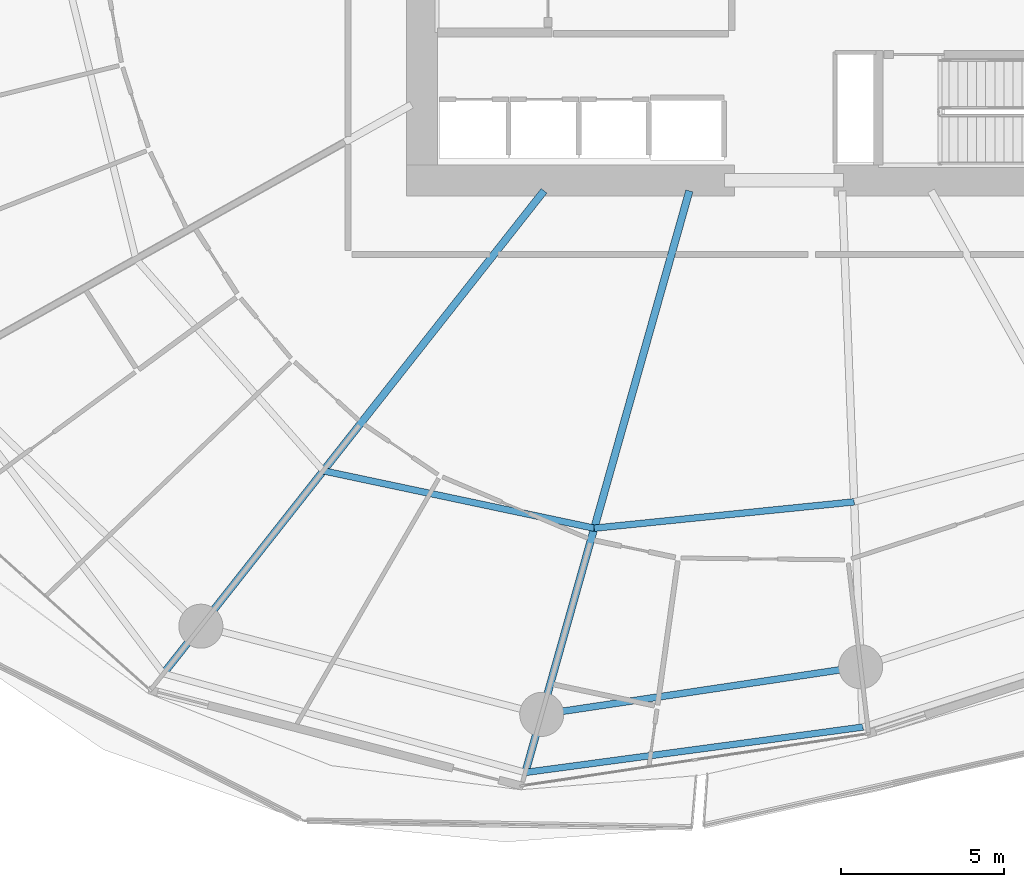
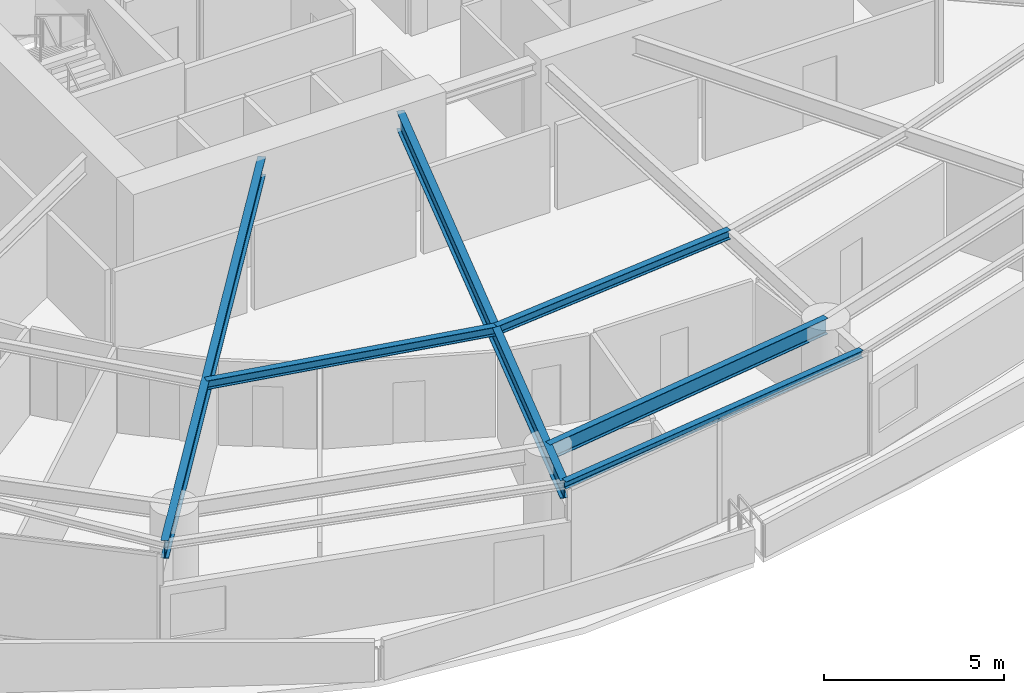
# One storey, part 7 of 31: 6 beams.
"""IFC4 building model written with IfcOpenShell, lengths in metres."""

from ifc_helpers import new_model, si_unit, direction, frame, origin, origin_2d, place, context, subcontext, project, spatial, i_section, extrude, material, material_profile, profile_set, type_object, element, save


model = new_model("IFC4")

# Units and contexts
model_context = context("Model", 3, precision=1e-05, world=origin(), true_north=direction((0.0, 1.0)))
body_context = subcontext(model_context, "Body", "Model", "MODEL_VIEW")
ifc_project = project(units=[si_unit("LENGTHUNIT", "METRE"), si_unit("AREAUNIT", "SQUARE_METRE"), si_unit("VOLUMEUNIT", "CUBIC_METRE"), si_unit("PLANEANGLEUNIT", "RADIAN"), si_unit("MASSUNIT", "GRAM", prefix="KILO")], contexts=[model_context])

# Site, building, storey
site_placement = place(None, origin())
site = spatial("IfcSite", under=ifc_project, at=site_placement, CompositionType="ELEMENT")
building_placement = place(site_placement, origin())
building = spatial("IfcBuilding", under=site, at=building_placement, Name="Kazma Halo Residences", CompositionType="ELEMENT")
storey_placement = place(building_placement, frame((0.0, 0.0, 33.89990234375)))
storey = spatial("IfcBuildingStorey", under=building, at=storey_placement, Name="L07", CompositionType="ELEMENT", Elevation=33.89990234375)

# Beams
ifc_material = material(Name="Steel S355", Category="steel")
ifc_material_profile_1 = material_profile(ifc_material, i_section(OverallWidth=0.201904296875, OverallDepth=0.2470703125, WebThickness=0.00732421875, FlangeThickness=0.010986328125, FilletRadius=0.011962890625, at=origin_2d()), Name="W250x49.1")
ifc_profile_set_1 = profile_set([ifc_material_profile_1], Name="Steel S355")
beam_type_1 = type_object("IfcBeamType", Name="BM-BAL-CANT", PredefinedType="BEAM", material=ifc_profile_set_1)
beam_1_placement = place(storey_placement, frame((40.489501953125, 15.3701171875, 3.376708984375), z_axis=(0.991080087388, 0.133267626912, 0.0), x_axis=(-0.133267626912, 0.991080087388, 0.0)))
element("IfcBeam", 1, at=beam_1_placement, inside=storey, type_object=beam_type_1, Name="L07 wave-balcony tie beam 11", PredefinedType="BEAM", context=body_context, shape_type="SweptSolid", body=[
    extrude(i_section(OverallWidth=0.201904296875, OverallDepth=0.2470703125, WebThickness=0.00732421875, FlangeThickness=0.010986328125, FilletRadius=0.011962890625, at=origin_2d()), origin(), (0.0, 0.0, 1.0), 10.444091796875),
])
ifc_material_profile_2 = material_profile(ifc_material, i_section(OverallWidth=0.22802734375, OverallDepth=0.60791015625, WebThickness=0.01123046875, FlangeThickness=0.017333984375, FilletRadius=0.01806640625, at=origin_2d()), Name="W610x113")
ifc_profile_set_2 = profile_set([ifc_material_profile_2], Name="Steel S355")
beam_type_2 = type_object("IfcBeamType", Name="BM-RAD-W610", PredefinedType="BEAM", material=ifc_profile_set_2)
beam_2_placement = place(storey_placement, frame((41.0625, 33.199951171875, 3.196044921875), z_axis=(-0.619092154321, -0.785318345932, 0.0), x_axis=(0.785318345932, -0.619092154321, 0.0)))
element("IfcBeam", 2, at=beam_2_placement, inside=storey, type_object=beam_type_2, Name="L07 radial floor beam 10", PredefinedType="BEAM", context=body_context, shape_type="SweptSolid", body=[
    extrude(i_section(OverallWidth=0.22802734375, OverallDepth=0.60791015625, WebThickness=0.01123046875, FlangeThickness=0.017333984375, FilletRadius=0.01806640625, at=origin_2d()), origin(), (0.0, 0.0, 1.0), 18.84375),
])
beam_3_placement = place(storey_placement, frame((45.51806640625, 33.199951171875, 3.196044921875), z_axis=(-0.271442010129, -0.962454796412, 0.0), x_axis=(0.962454796412, -0.271442010129, 0.0)))
element("IfcBeam", 3, at=beam_3_placement, inside=storey, type_object=beam_type_2, Name="L07 radial floor beam 11", PredefinedType="BEAM", context=body_context, shape_type="SweptSolid", body=[
    extrude(i_section(OverallWidth=0.22802734375, OverallDepth=0.60791015625, WebThickness=0.01123046875, FlangeThickness=0.017333984375, FilletRadius=0.01806640625, at=origin_2d()), origin(), (0.0, 0.0, 1.0), 18.525390625),
])
ifc_material_profile_3 = material_profile(ifc_material, i_section(OverallWidth=0.202880859375, OverallDepth=0.302978515625, WebThickness=0.007568359375, FlangeThickness=0.01318359375, FilletRadius=0.013916015625, at=origin_2d()), Name="W310x60")
ifc_profile_set_3 = profile_set([ifc_material_profile_3], Name="Steel S355")
beam_type_3 = type_object("IfcBeamType", Name="BM-SEC-W310A", PredefinedType="JOIST", material=ifc_profile_set_3)
beam_4_placement = place(storey_placement, frame((34.296142578125, 24.616943359375, 3.3486328125), z_axis=(0.97831665719, -0.207114746615, 0.0), x_axis=(0.207114746615, 0.97831665719, 0.0)))
element("IfcBeam", 4, at=beam_4_placement, inside=storey, type_object=beam_type_3, Name="L07 circumferential floor joist 10", PredefinedType="JOIST", context=body_context, shape_type="SweptSolid", body=[
    extrude(i_section(OverallWidth=0.202880859375, OverallDepth=0.302978515625, WebThickness=0.007568359375, FlangeThickness=0.01318359375, FilletRadius=0.013916015625, at=origin_2d()), origin(), (0.0, 0.0, 1.0), 8.489501953125),
])
beam_5_placement = place(storey_placement, frame((42.6015625, 22.858642578125, 3.3486328125), z_axis=(0.994907811148, 0.100789123008, 0.0), x_axis=(-0.100789123008, 0.994907811148, 0.0)))
element("IfcBeam", 5, at=beam_5_placement, inside=storey, type_object=beam_type_3, Name="L07 circumferential floor joist 11", PredefinedType="JOIST", context=body_context, shape_type="SweptSolid", body=[
    extrude(i_section(OverallWidth=0.202880859375, OverallDepth=0.302978515625, WebThickness=0.007568359375, FlangeThickness=0.01318359375, FilletRadius=0.013916015625, at=origin_2d()), origin(), (0.0, 0.0, 1.0), 8.010498046875),
])
ifc_material_profile_4 = material_profile(ifc_material, i_section(OverallWidth=0.208984375, OverallDepth=0.532958984375, WebThickness=0.01025390625, FlangeThickness=0.015625, FilletRadius=0.01611328125, at=origin_2d()), Name="W530x92")
ifc_profile_set_4 = profile_set([ifc_material_profile_4], Name="Steel S355")
beam_type_4 = type_object("IfcBeamType", Name="BM-SPN-W530", PredefinedType="BEAM", material=ifc_profile_set_4)
beam_6_placement = place(storey_placement, frame((40.99169921875, 17.150634765625, 3.233642578125), z_axis=(0.989033061974, 0.147694286693, 0.0), x_axis=(-0.147694286693, 0.989033061974, 0.0)))
element("IfcBeam", 6, at=beam_6_placement, inside=storey, type_object=beam_type_4, Name="L07 perimeter ring beam 11", PredefinedType="BEAM", context=body_context, shape_type="SweptSolid", body=[
    extrude(i_section(OverallWidth=0.208984375, OverallDepth=0.532958984375, WebThickness=0.01025390625, FlangeThickness=0.015625, FilletRadius=0.01611328125, at=origin_2d()), origin(), (0.0, 0.0, 1.0), 9.885009765625),
])

save(model, "model.ifc")
